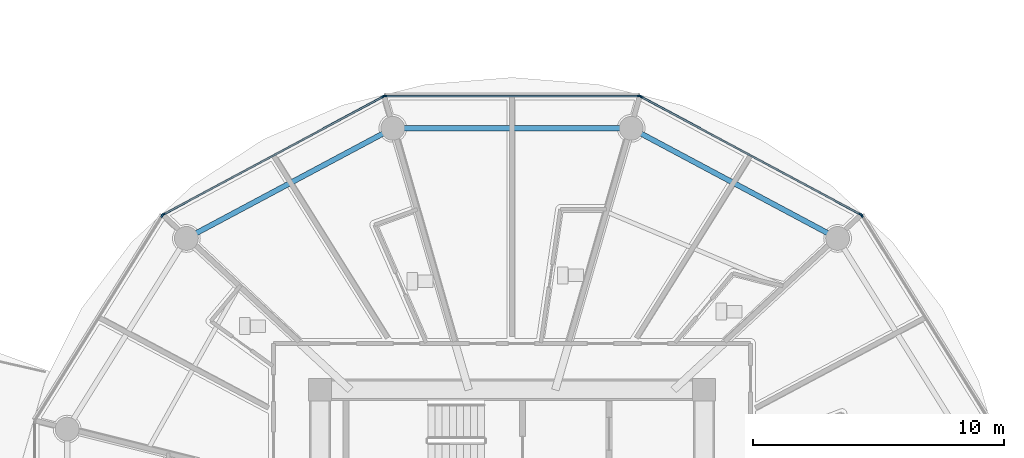
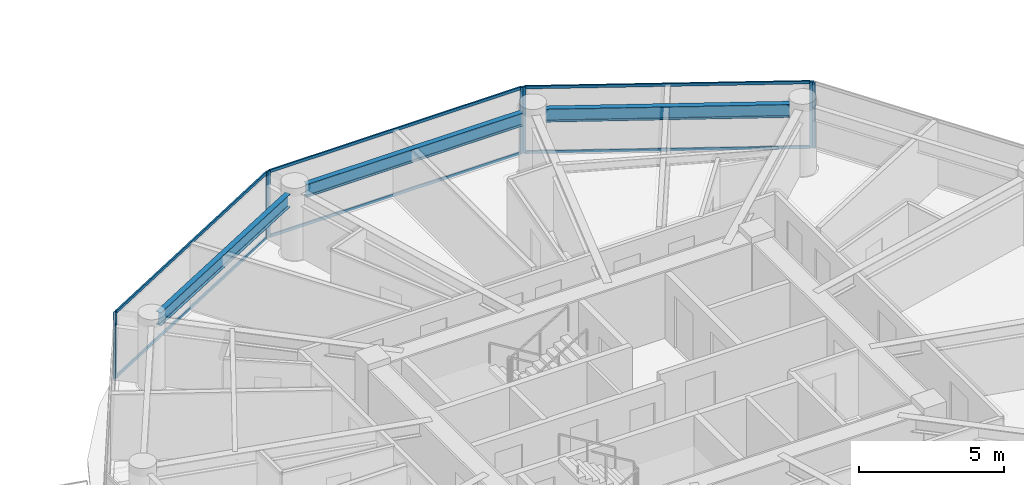
# One storey, part 9 of 31: 14 members, 3 beams, 5 elements without a shape of their own.
"""IFC4 building model written with IfcOpenShell, lengths in metres."""

from ifc_helpers import new_model, si_unit, direction, frame, origin, origin_2d, place, context, subcontext, project, spatial, rectangle, i_section, extrude, source, transform, mapped, material, layer, layer_set, material_profile, profile_set, type_object, type_shapes, element, aggregate, save


model = new_model("IFC4")

# Units and contexts
model_context = context("Model", 3, precision=1e-05, world=origin(), true_north=direction((0.0, 1.0)))
body_context = subcontext(model_context, "Body", "Model", "MODEL_VIEW")
ifc_project = project(units=[si_unit("LENGTHUNIT", "METRE"), si_unit("AREAUNIT", "SQUARE_METRE"), si_unit("VOLUMEUNIT", "CUBIC_METRE"), si_unit("PLANEANGLEUNIT", "RADIAN"), si_unit("MASSUNIT", "GRAM", prefix="KILO")], contexts=[model_context])

# Site, building, storey
site_placement = place(None, origin())
site = spatial("IfcSite", under=ifc_project, at=site_placement, CompositionType="ELEMENT")
building_placement = place(site_placement, origin())
building = spatial("IfcBuilding", under=site, at=building_placement, Name="Norrkilde Senior Care Towers", CompositionType="ELEMENT")
storey_placement = place(building_placement, frame((0.0, 0.0, 42.949951171875)))
storey = spatial("IfcBuildingStorey", under=building, at=storey_placement, Name="L12", CompositionType="ELEMENT", Elevation=42.949951171875)

# Beams
ifc_material_1 = material(Name="Steel S355", Category="steel")
ifc_material_profile_1 = material_profile(ifc_material_1, i_section(OverallWidth=0.2099609375, OverallDepth=0.550048828125, WebThickness=0.010986328125, FlangeThickness=0.01708984375, FilletRadius=0.02392578125, at=origin_2d()), Name="IPE 550")
ifc_profile_set_1 = profile_set([ifc_material_profile_1], Name="Steel S355")
beam_type = type_object("IfcBeamType", Name="Perimeter Ring Spandrel Z1 IPE550", PredefinedType="SPANDREL", material=ifc_profile_set_1)
shared_shape_1 = source(origin(), body_context, "Body", "SweptSolid", [
    extrude(i_section(OverallWidth=0.2099609375, OverallDepth=0.550048828125, WebThickness=0.010986328125, FlangeThickness=0.01708984375, FilletRadius=0.02392578125, at=origin_2d()), origin(), (0.0, 0.0, 1.0), 8.452880859375),
])
for number, where, z_axis, x_axis, name in (
    (1, (-15.408447265625, 12.190185546875, 2.51513671875), (-0.882368931134, 0.470558252898, 0.0), (-0.470558252898, -0.882368931134, 0.0), "L12 Drum W Perimeter Spandrel 02"),
    (2, (-33.133056640625, 16.167724609375, 2.51513671875), (-0.882368931134, -0.470558252898, 0.0), (0.470558252898, -0.882368931134, 0.0), "L12 Drum W Perimeter Spandrel 04"),
):
    element("IfcBeam", number, at=place(storey_placement, frame(where, z_axis=z_axis, x_axis=x_axis)), inside=storey, type_object=beam_type, Name=name, PredefinedType="SPANDREL", context=body_context, shape_type="MappedRepresentation", body=[
        mapped(shared_shape_1, transform((0.0, 0.0, 0.0), x_axis=(1.0, 0.0, 0.0), y_axis=(0.0, 1.0, 0.0), z_axis=(0.0, 0.0, 1.0), scale=1.0)),
    ])
shared_shape_2 = source(origin(), body_context, "Body", "SweptSolid", [
    extrude(i_section(OverallWidth=0.2099609375, OverallDepth=0.550048828125, WebThickness=0.010986328125, FlangeThickness=0.01708984375, FilletRadius=0.02392578125, at=origin_2d()), origin(), (0.0, 0.0, 1.0), 8.62841796875),
])
type_shapes(beam_type, [shared_shape_1, shared_shape_2])
beam_placement = place(storey_placement, frame((-23.685791015625, 16.37255859375, 2.51513671875), z_axis=(-1.0, 0.0, 0.0), x_axis=(0.0, -1.0, 0.0)))
element("IfcBeam", 3, at=beam_placement, inside=storey, type_object=beam_type, Name="L12 Drum W Perimeter Spandrel 03", PredefinedType="SPANDREL", context=body_context, shape_type="MappedRepresentation", body=[
    mapped(shared_shape_2, transform((0.0, 0.0, 0.0), x_axis=(1.0, 0.0, 0.0), y_axis=(0.0, 1.0, 0.0), z_axis=(0.0, 0.0, 1.0), scale=1.0)),
])

# Curtain wall, member
ifc_material_2 = material(Name="Triple Low-E Insulated Glazing", Category="glass")
ifc_layer = layer(ifc_material_2, 0.199951171875)
ifc_layer_set = layer_set([ifc_layer], Name="Triple Low-E Insulated Glazing")
curtain_wall_type = type_object("IfcCurtainWallType", Name="CW2 Zone 1 Memory Care Curtain Wall", PredefinedType="NOTDEFINED", material=ifc_layer_set)
curtain_wall_1_placement = place(storey_placement, origin())
curtain_wall_1 = element("IfcCurtainWall", 4, at=curtain_wall_1_placement, inside=storey, type_object=curtain_wall_type, Name="L12 Drum W Curtain Wall 00", PredefinedType="NOTDEFINED")
ifc_material_3 = material(Name="Anodised Aluminium", Category="aluminium")
ifc_material_profile_2 = material_profile(ifc_material_3, rectangle(XDim=0.06494140625, YDim=0.159912109375, at=origin_2d()), Name="ALU MULL 65x160")
ifc_profile_set_2 = profile_set([ifc_material_profile_2], Name="Anodised Aluminium")
member_type_1 = type_object("IfcMemberType", Name="Curtain Wall Mullion Z1-Z2 65x160", PredefinedType="MULLION", material=ifc_profile_set_2)
shared_shape_3 = source(origin(), body_context, "Body", "SweptSolid", [
    extrude(rectangle(XDim=0.06494140625, YDim=0.159912109375, at=origin_2d()), origin(), (0.0, 0.0, 1.0), 2.7900390625),
])
type_shapes(member_type_1, [shared_shape_3])
member_1_placement = place(storey_placement, frame((-14.06689453125, 12.898193359375, 0.0), z_axis=(0.0, 0.0, 1.0), x_axis=(0.849305943117, 0.527900951871, 0.0)))
member_1 = element("IfcMember", 5, at=member_1_placement, type_object=member_type_1, Name="CW-2 mullion 1", PredefinedType="MULLION", context=body_context, shape_type="MappedRepresentation", body=[
    mapped(shared_shape_3, transform((0.0, 0.0, 0.0), x_axis=(1.0, 0.0, 0.0), y_axis=(0.0, 1.0, 0.0), z_axis=(0.0, 0.0, 1.0), scale=1.0)),
])
aggregate(curtain_wall_1, [member_1])

# Curtain wall, members
curtain_wall_2_placement = place(storey_placement, origin())
curtain_wall_2 = element("IfcCurtainWall", 6, at=curtain_wall_2_placement, inside=storey, type_object=curtain_wall_type, Name="L12 Drum W Curtain Wall 01", PredefinedType="NOTDEFINED")
member_2_placement = place(storey_placement, frame((-22.877685546875, 17.641845703125, 0.0), z_axis=(0.0, 0.0, 1.0), x_axis=(0.472607802456, 0.881272866403, 0.0)))
member_2 = element("IfcMember", 7, at=member_2_placement, type_object=member_type_1, Name="CW-2 mullion 1", PredefinedType="MULLION", context=body_context, shape_type="MappedRepresentation", body=[
    mapped(shared_shape_3, transform((0.0, 0.0, 0.0), x_axis=(1.0, 0.0, 0.0), y_axis=(0.0, 1.0, 0.0), z_axis=(0.0, 0.0, 1.0), scale=1.0)),
])
member_3_placement = place(storey_placement, frame((-14.11279296875, 12.941162109375, 0.0), z_axis=(0.0, 0.0, 1.0), x_axis=(0.472607802456, 0.881272866403, 0.0)))
member_3 = element("IfcMember", 8, at=member_3_placement, type_object=member_type_1, Name="CW-2 mullion 2", PredefinedType="MULLION", context=body_context, shape_type="MappedRepresentation", body=[
    mapped(shared_shape_3, transform((0.0, 0.0, 0.0), x_axis=(1.0, 0.0, 0.0), y_axis=(0.0, 1.0, 0.0), z_axis=(0.0, 0.0, 1.0), scale=1.0)),
])

curtain_wall_3_placement = place(storey_placement, origin())
curtain_wall_3 = element("IfcCurtainWall", 9, at=curtain_wall_3_placement, inside=storey, type_object=curtain_wall_type, Name="L12 Drum W Curtain Wall 02", PredefinedType="NOTDEFINED")
member_4_placement = place(storey_placement, frame((-33.06103515625, 17.6572265625, 0.0), z_axis=(0.0, 0.0, 1.0), x_axis=(0.0, 1.0, 0.0)))
member_4 = element("IfcMember", 10, at=member_4_placement, type_object=member_type_1, Name="CW-2 mullion 1", PredefinedType="MULLION", context=body_context, shape_type="MappedRepresentation", body=[
    mapped(shared_shape_3, transform((0.0, 0.0, 0.0), x_axis=(1.0, 0.0, 0.0), y_axis=(0.0, 1.0, 0.0), z_axis=(0.0, 0.0, 1.0), scale=1.0)),
])
member_5_placement = place(storey_placement, frame((-22.93896484375, 17.6572265625, 0.0), z_axis=(0.0, 0.0, 1.0), x_axis=(0.0, 1.0, 0.0)))
member_5 = element("IfcMember", 11, at=member_5_placement, type_object=member_type_1, Name="CW-2 mullion 2", PredefinedType="MULLION", context=body_context, shape_type="MappedRepresentation", body=[
    mapped(shared_shape_3, transform((0.0, 0.0, 0.0), x_axis=(1.0, 0.0, 0.0), y_axis=(0.0, 1.0, 0.0), z_axis=(0.0, 0.0, 1.0), scale=1.0)),
])

curtain_wall_4_placement = place(storey_placement, origin())
curtain_wall_4 = element("IfcCurtainWall", 12, at=curtain_wall_4_placement, inside=storey, type_object=curtain_wall_type, Name="L12 Drum W Curtain Wall 03", PredefinedType="NOTDEFINED")
member_6_placement = place(storey_placement, frame((-41.88720703125, 12.941162109375, 0.0), z_axis=(0.0, 0.0, 1.0), x_axis=(-0.472607802456, 0.881272866403, 0.0)))
member_6 = element("IfcMember", 13, at=member_6_placement, type_object=member_type_1, Name="CW-2 mullion 1", PredefinedType="MULLION", context=body_context, shape_type="MappedRepresentation", body=[
    mapped(shared_shape_3, transform((0.0, 0.0, 0.0), x_axis=(1.0, 0.0, 0.0), y_axis=(0.0, 1.0, 0.0), z_axis=(0.0, 0.0, 1.0), scale=1.0)),
])
member_7_placement = place(storey_placement, frame((-33.122314453125, 17.641845703125, 0.0), z_axis=(0.0, 0.0, 1.0), x_axis=(-0.472607802456, 0.881272866403, 0.0)))
member_7 = element("IfcMember", 14, at=member_7_placement, type_object=member_type_1, Name="CW-2 mullion 2", PredefinedType="MULLION", context=body_context, shape_type="MappedRepresentation", body=[
    mapped(shared_shape_3, transform((0.0, 0.0, 0.0), x_axis=(1.0, 0.0, 0.0), y_axis=(0.0, 1.0, 0.0), z_axis=(0.0, 0.0, 1.0), scale=1.0)),
])

# Curtain wall, member
curtain_wall_5_placement = place(storey_placement, origin())
curtain_wall_5 = element("IfcCurtainWall", 15, at=curtain_wall_5_placement, inside=storey, type_object=curtain_wall_type, Name="L12 Drum W Curtain Wall 04", PredefinedType="NOTDEFINED")
member_8_placement = place(storey_placement, frame((-41.93310546875, 12.898193359375, 0.0), z_axis=(0.0, 0.0, 1.0), x_axis=(-0.849305943117, 0.527900951871, 0.0)))
member_8 = element("IfcMember", 16, at=member_8_placement, type_object=member_type_1, Name="CW-2 mullion 2", PredefinedType="MULLION", context=body_context, shape_type="MappedRepresentation", body=[
    mapped(shared_shape_3, transform((0.0, 0.0, 0.0), x_axis=(1.0, 0.0, 0.0), y_axis=(0.0, 1.0, 0.0), z_axis=(0.0, 0.0, 1.0), scale=1.0)),
])
aggregate(curtain_wall_5, [member_8])

# Member
ifc_material_profile_3 = material_profile(ifc_material_3, rectangle(XDim=0.06005859375, YDim=0.1201171875, at=origin_2d()), Name="ALU TRAN 60x120")
ifc_profile_set_3 = profile_set([ifc_material_profile_3], Name="Anodised Aluminium")
member_type_2 = type_object("IfcMemberType", Name="Curtain Wall Transom Typical 60x120", PredefinedType="USERDEFINED", material=ifc_profile_set_3)
shared_shape_4 = source(origin(), body_context, "Body", "SweptSolid", [
    extrude(rectangle(XDim=0.06005859375, YDim=0.1201171875, at=origin_2d()), origin(), (0.0, 0.0, 1.0), 9.880859375),
])
member_9_placement = place(storey_placement, frame((-22.84912109375, 17.62646484375, 0.030029296875), z_axis=(0.881267204043, -0.47261836092, 0.0), x_axis=(0.47261836092, 0.881267204043, 0.0)))
member_9 = element("IfcMember", 17, at=member_9_placement, type_object=member_type_2, Name="CW-2 transom 1.1", ObjectType="TRANSOM", PredefinedType="USERDEFINED", context=body_context, shape_type="MappedRepresentation", body=[
    mapped(shared_shape_4, transform((0.0, 0.0, 0.0), x_axis=(1.0, 0.0, 0.0), y_axis=(0.0, 1.0, 0.0), z_axis=(0.0, 0.0, 1.0), scale=1.0)),
])

member_10_placement = place(storey_placement, frame((-22.84912109375, 17.62646484375, 2.760009765625), z_axis=(0.881267204043, -0.47261836092, 0.0), x_axis=(0.47261836092, 0.881267204043, 0.0)))
member_10 = element("IfcMember", 18, at=member_10_placement, type_object=member_type_2, Name="CW-2 transom 1.2", ObjectType="TRANSOM", PredefinedType="USERDEFINED", context=body_context, shape_type="MappedRepresentation", body=[
    mapped(shared_shape_4, transform((0.0, 0.0, 0.0), x_axis=(1.0, 0.0, 0.0), y_axis=(0.0, 1.0, 0.0), z_axis=(0.0, 0.0, 1.0), scale=1.0)),
])

aggregate(curtain_wall_2, [member_2, member_3, member_9, member_10])

member_11_placement = place(storey_placement, frame((-41.858642578125, 12.95654296875, 0.030029296875), z_axis=(0.881267204043, 0.47261836092, 0.0), x_axis=(-0.47261836092, 0.881267204043, 0.0)))
member_11 = element("IfcMember", 19, at=member_11_placement, type_object=member_type_2, Name="CW-2 transom 1.1", ObjectType="TRANSOM", PredefinedType="USERDEFINED", context=body_context, shape_type="MappedRepresentation", body=[
    mapped(shared_shape_4, transform((0.0, 0.0, 0.0), x_axis=(1.0, 0.0, 0.0), y_axis=(0.0, 1.0, 0.0), z_axis=(0.0, 0.0, 1.0), scale=1.0)),
])

member_12_placement = place(storey_placement, frame((-41.858642578125, 12.95654296875, 2.760009765625), z_axis=(0.881267204043, 0.47261836092, 0.0), x_axis=(-0.47261836092, 0.881267204043, 0.0)))
member_12 = element("IfcMember", 20, at=member_12_placement, type_object=member_type_2, Name="CW-2 transom 1.2", ObjectType="TRANSOM", PredefinedType="USERDEFINED", context=body_context, shape_type="MappedRepresentation", body=[
    mapped(shared_shape_4, transform((0.0, 0.0, 0.0), x_axis=(1.0, 0.0, 0.0), y_axis=(0.0, 1.0, 0.0), z_axis=(0.0, 0.0, 1.0), scale=1.0)),
])

aggregate(curtain_wall_4, [member_6, member_7, member_11, member_12])

shared_shape_5 = source(origin(), body_context, "Body", "SweptSolid", [
    extrude(rectangle(XDim=0.06005859375, YDim=0.1201171875, at=origin_2d()), origin(), (0.0, 0.0, 1.0), 10.05712890625),
])
type_shapes(member_type_2, [shared_shape_4, shared_shape_5])
member_13_placement = place(storey_placement, frame((-33.028564453125, 17.6572265625, 0.030029296875), z_axis=(1.0, 0.0, 0.0), x_axis=(0.0, 1.0, 0.0)))
member_13 = element("IfcMember", 21, at=member_13_placement, type_object=member_type_2, Name="CW-2 transom 1.1", ObjectType="TRANSOM", PredefinedType="USERDEFINED", context=body_context, shape_type="MappedRepresentation", body=[
    mapped(shared_shape_5, transform((0.0, 0.0, 0.0), x_axis=(1.0, 0.0, 0.0), y_axis=(0.0, 1.0, 0.0), z_axis=(0.0, 0.0, 1.0), scale=1.0)),
])

member_14_placement = place(storey_placement, frame((-33.028564453125, 17.6572265625, 2.760009765625), z_axis=(1.0, 0.0, 0.0), x_axis=(0.0, 1.0, 0.0)))
member_14 = element("IfcMember", 22, at=member_14_placement, type_object=member_type_2, Name="CW-2 transom 1.2", ObjectType="TRANSOM", PredefinedType="USERDEFINED", context=body_context, shape_type="MappedRepresentation", body=[
    mapped(shared_shape_5, transform((0.0, 0.0, 0.0), x_axis=(1.0, 0.0, 0.0), y_axis=(0.0, 1.0, 0.0), z_axis=(0.0, 0.0, 1.0), scale=1.0)),
])

aggregate(curtain_wall_3, [member_4, member_5, member_13, member_14])

save(model, "model.ifc")
